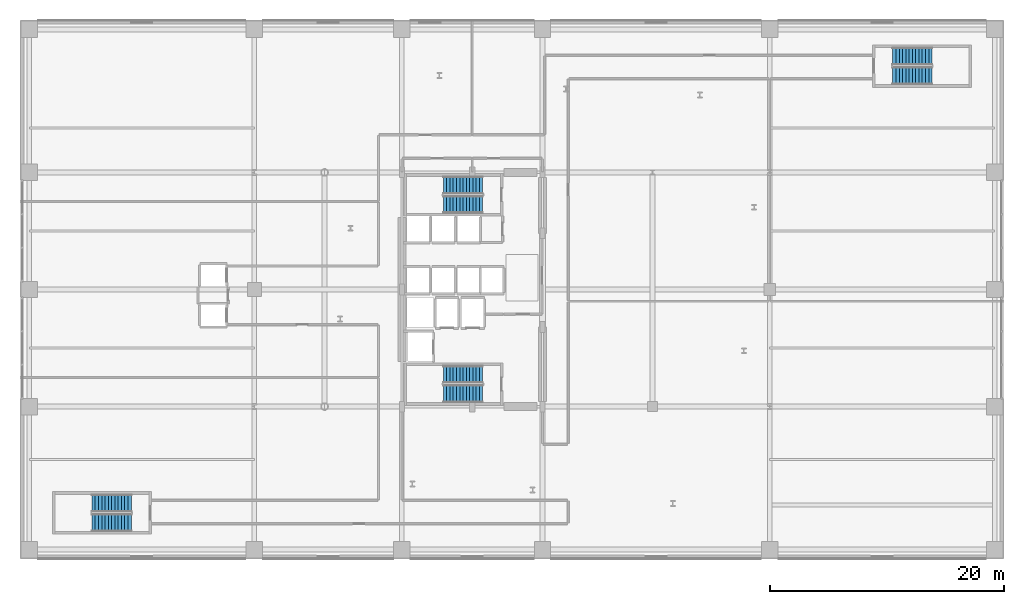
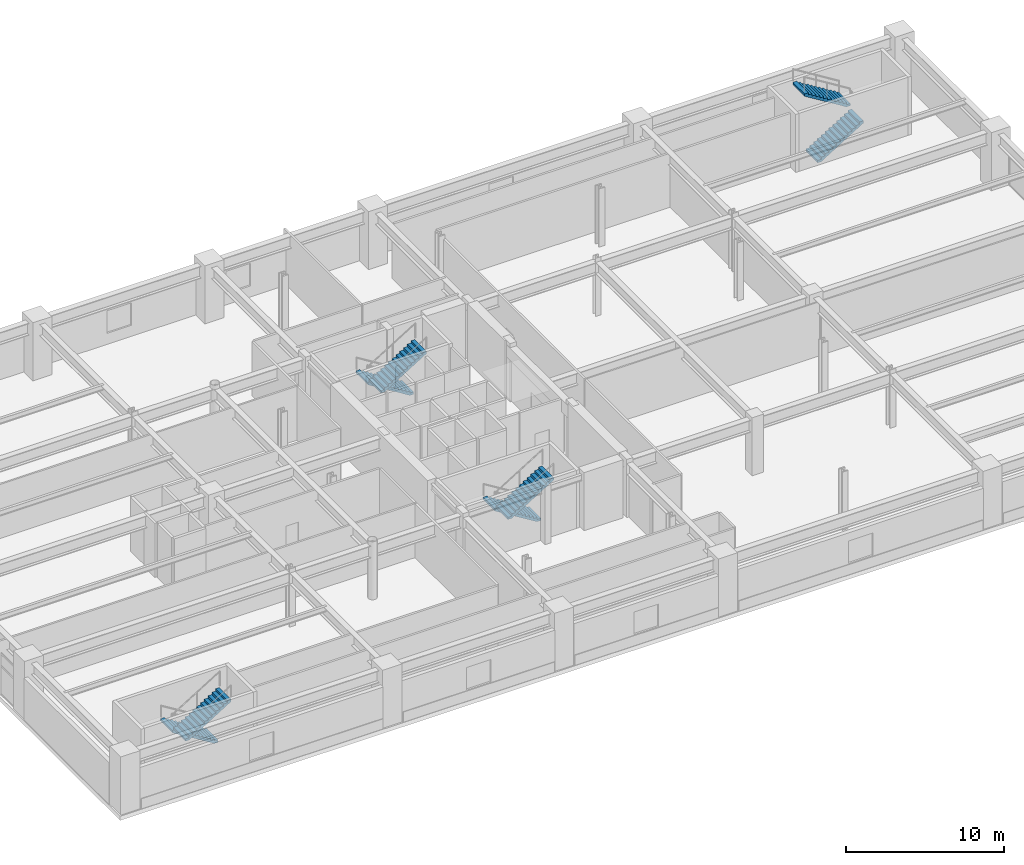
# One storey, part 23 of 28: 8 stair flights, 4 elements without a shape of their own.
"""IFC4 building model written with IfcOpenShell, lengths in metres."""

from ifc_helpers import new_model, si_unit, direction, frame, origin, place, context, subcontext, project, spatial, polyline, outline, extrude, material, layer, layer_set, type_object, element, aggregate, save


model = new_model("IFC4")

# Units and contexts
model_context = context("Model", 3, precision=1e-05, world=origin(), true_north=direction((0.0, 1.0)))
body_context = subcontext(model_context, "Body", "Model", "MODEL_VIEW")
ifc_project = project(units=[si_unit("LENGTHUNIT", "METRE"), si_unit("AREAUNIT", "SQUARE_METRE"), si_unit("VOLUMEUNIT", "CUBIC_METRE"), si_unit("PLANEANGLEUNIT", "RADIAN"), si_unit("MASSUNIT", "GRAM", prefix="KILO")], contexts=[model_context])

# Site, building, storey
site_placement = place(None, origin())
site = spatial("IfcSite", under=ifc_project, at=site_placement, CompositionType="ELEMENT")
building_placement = place(site_placement, origin())
building = spatial("IfcBuilding", under=site, at=building_placement, Name="Soratama Intermodal Tower", CompositionType="ELEMENT")
storey_placement = place(building_placement, frame((0.0, 0.0, 16.199951171875)))
storey = spatial("IfcBuildingStorey", under=building, at=storey_placement, Name="L03", CompositionType="ELEMENT", Elevation=16.199951171875)

# Stair, stair flights
ifc_material_1 = material(Name="Concrete f'c 42 MPa", Category="concrete")
stair_type = type_object("IfcStairType", Name="ST-CORE-DOGLEG", PredefinedType="HALF_TURN_STAIR", material=ifc_material_1)
stair_1_placement = place(storey_placement, origin())
stair_1 = element("IfcStair", 1, at=stair_1_placement, inside=storey, type_object=stair_type, Name="L03 ST-1", PredefinedType="HALF_TURN_STAIR")
ifc_material_2 = material(Name="Precast concrete f'c 40 MPa", Category="concrete")
ifc_layer = layer(ifc_material_2, 0.199951171875)
ifc_layer_set = layer_set([ifc_layer], Name="Precast concrete f'c 40 MPa")
stair_flight_type = type_object("IfcStairFlightType", Name="SF-FLIGHT-RC", PredefinedType="STRAIGHT", material=ifc_layer_set)
stair_flight_1_placement = place(storey_placement, frame((39.5, 17.75, 0.0), z_axis=(0.0, 0.0, 1.0), x_axis=(-1.0, 0.0, 0.0)))
stair_flight_1 = element("IfcStairFlight", 2, at=stair_flight_1_placement, type_object=stair_flight_type, Name="ST-1 flight 1", NumberOfRisers=13, NumberOfTreads=12, PredefinedType="STRAIGHT", RiserHeight=0.173076923, TreadLength=0.28, context=body_context, shape_type="SweptSolid", body=[
    extrude(outline(polyline([(0.0, 0.0), (0.0, 0.173095703125), (0.280029296875, 0.173095703125), (0.280029296875, 0.34619140625), (0.56005859375, 0.34619140625), (0.56005859375, 0.519287109375), (0.840087890625, 0.519287109375), (0.840087890625, 0.6923828125), (1.1201171875, 0.6923828125), (1.1201171875, 0.865478515625), (1.39990234375, 0.865478515625), (1.39990234375, 1.03857421875), (1.679931640625, 1.03857421875), (1.679931640625, 1.21142578125), (1.9599609375, 1.21142578125), (1.9599609375, 1.384521484375), (2.239990234375, 1.384521484375), (2.239990234375, 1.5576171875), (2.52001953125, 1.5576171875), (2.52001953125, 1.730712890625), (2.800048828125, 1.730712890625), (2.800048828125, 1.90380859375), (3.080078125, 1.90380859375), (3.080078125, 2.076904296875), (3.360107421875, 2.076904296875), (3.360107421875, 2.25), (3.360107421875, 1.900634765625), (0.28515625, 0.0), (0.0, 0.0)])), frame((0.0, 0.75, 0.0), z_axis=(0.0, -1.0, 0.0), x_axis=(1.0, 0.0, 0.0)), (0.0, 0.0, 1.0), 1.5),
])
stair_flight_2_placement = place(storey_placement, frame((36.139892578125, 16.10009765625, 2.25), z_axis=(0.0, 0.0, 1.0), x_axis=(1.0, 0.0, 0.0)))
stair_flight_2 = element("IfcStairFlight", 3, at=stair_flight_2_placement, type_object=stair_flight_type, Name="ST-1 flight 2", NumberOfRisers=13, NumberOfTreads=12, PredefinedType="STRAIGHT", RiserHeight=0.173076923, TreadLength=0.28, context=body_context, shape_type="SweptSolid", body=[
    extrude(outline(polyline([(0.0, 0.0), (0.0, 0.173095703125), (0.280029296875, 0.173095703125), (0.280029296875, 0.34619140625), (0.56005859375, 0.34619140625), (0.56005859375, 0.519287109375), (0.840087890625, 0.519287109375), (0.840087890625, 0.6923828125), (1.1201171875, 0.6923828125), (1.1201171875, 0.865478515625), (1.39990234375, 0.865478515625), (1.39990234375, 1.03857421875), (1.679931640625, 1.03857421875), (1.679931640625, 1.21142578125), (1.9599609375, 1.21142578125), (1.9599609375, 1.384521484375), (2.239990234375, 1.384521484375), (2.239990234375, 1.5576171875), (2.52001953125, 1.5576171875), (2.52001953125, 1.730712890625), (2.800048828125, 1.730712890625), (2.800048828125, 1.90380859375), (3.080078125, 1.90380859375), (3.080078125, 2.076904296875), (3.360107421875, 2.076904296875), (3.360107421875, 2.25), (3.360107421875, 1.900634765625), (0.28515625, 0.0), (0.0, 0.0)])), frame((0.0, 0.75, 0.0), z_axis=(0.0, -1.0, 0.0), x_axis=(1.0, 0.0, 0.0)), (0.0, 0.0, 1.0), 1.5),
])
aggregate(stair_1, [stair_flight_1, stair_flight_2])

stair_2_placement = place(storey_placement, origin())
stair_2 = element("IfcStair", 4, at=stair_2_placement, inside=storey, type_object=stair_type, Name="L03 ST-2", PredefinedType="HALF_TURN_STAIR")
stair_flight_3_placement = place(storey_placement, frame((39.5, 33.89990234375, 0.0), z_axis=(0.0, 0.0, 1.0), x_axis=(-1.0, 0.0, 0.0)))
stair_flight_3 = element("IfcStairFlight", 5, at=stair_flight_3_placement, type_object=stair_flight_type, Name="ST-2 flight 1", NumberOfRisers=13, NumberOfTreads=12, PredefinedType="STRAIGHT", RiserHeight=0.173076923, TreadLength=0.28, context=body_context, shape_type="SweptSolid", body=[
    extrude(outline(polyline([(0.0, 0.0), (0.0, 0.173095703125), (0.280029296875, 0.173095703125), (0.280029296875, 0.34619140625), (0.56005859375, 0.34619140625), (0.56005859375, 0.519287109375), (0.840087890625, 0.519287109375), (0.840087890625, 0.6923828125), (1.1201171875, 0.6923828125), (1.1201171875, 0.865478515625), (1.39990234375, 0.865478515625), (1.39990234375, 1.03857421875), (1.679931640625, 1.03857421875), (1.679931640625, 1.21142578125), (1.9599609375, 1.21142578125), (1.9599609375, 1.384521484375), (2.239990234375, 1.384521484375), (2.239990234375, 1.5576171875), (2.52001953125, 1.5576171875), (2.52001953125, 1.730712890625), (2.800048828125, 1.730712890625), (2.800048828125, 1.90380859375), (3.080078125, 1.90380859375), (3.080078125, 2.076904296875), (3.360107421875, 2.076904296875), (3.360107421875, 2.25), (3.360107421875, 1.900634765625), (0.28515625, 0.0), (0.0, 0.0)])), frame((0.0, 0.75, 0.0), z_axis=(0.0, -1.0, 0.0), x_axis=(1.0, 0.0, 0.0)), (0.0, 0.0, 1.0), 1.5),
])
stair_flight_4_placement = place(storey_placement, frame((36.139892578125, 32.25, 2.25), z_axis=(0.0, 0.0, 1.0), x_axis=(1.0, 0.0, 0.0)))
stair_flight_4 = element("IfcStairFlight", 6, at=stair_flight_4_placement, type_object=stair_flight_type, Name="ST-2 flight 2", NumberOfRisers=13, NumberOfTreads=12, PredefinedType="STRAIGHT", RiserHeight=0.173076923, TreadLength=0.28, context=body_context, shape_type="SweptSolid", body=[
    extrude(outline(polyline([(0.0, 0.0), (0.0, 0.173095703125), (0.280029296875, 0.173095703125), (0.280029296875, 0.34619140625), (0.56005859375, 0.34619140625), (0.56005859375, 0.519287109375), (0.840087890625, 0.519287109375), (0.840087890625, 0.6923828125), (1.1201171875, 0.6923828125), (1.1201171875, 0.865478515625), (1.39990234375, 0.865478515625), (1.39990234375, 1.03857421875), (1.679931640625, 1.03857421875), (1.679931640625, 1.21142578125), (1.9599609375, 1.21142578125), (1.9599609375, 1.384521484375), (2.239990234375, 1.384521484375), (2.239990234375, 1.5576171875), (2.52001953125, 1.5576171875), (2.52001953125, 1.730712890625), (2.800048828125, 1.730712890625), (2.800048828125, 1.90380859375), (3.080078125, 1.90380859375), (3.080078125, 2.076904296875), (3.360107421875, 2.076904296875), (3.360107421875, 2.25), (3.360107421875, 1.900634765625), (0.28515625, 0.0), (0.0, 0.0)])), frame((0.0, 0.75, 0.0), z_axis=(0.0, -1.0, 0.0), x_axis=(1.0, 0.0, 0.0)), (0.0, 0.0, 1.0), 1.5),
])
aggregate(stair_2, [stair_flight_3, stair_flight_4])

stair_3_placement = place(storey_placement, origin())
stair_3 = element("IfcStair", 7, at=stair_3_placement, inside=storey, type_object=stair_type, Name="L03 ST-3", PredefinedType="HALF_TURN_STAIR")
stair_flight_5_placement = place(storey_placement, frame((9.5, 6.75, 0.0), z_axis=(0.0, 0.0, 1.0), x_axis=(-1.0, 0.0, 0.0)))
stair_flight_5 = element("IfcStairFlight", 8, at=stair_flight_5_placement, type_object=stair_flight_type, Name="ST-3 flight 1", NumberOfRisers=13, NumberOfTreads=12, PredefinedType="STRAIGHT", RiserHeight=0.173076923, TreadLength=0.28, context=body_context, shape_type="SweptSolid", body=[
    extrude(outline(polyline([(0.0, 0.0), (0.0, 0.173095703125), (0.280029296875, 0.173095703125), (0.280029296875, 0.34619140625), (0.56005859375, 0.34619140625), (0.56005859375, 0.519287109375), (0.840087890625, 0.519287109375), (0.840087890625, 0.6923828125), (1.1201171875, 0.6923828125), (1.1201171875, 0.865478515625), (1.39990234375, 0.865478515625), (1.39990234375, 1.03857421875), (1.679931640625, 1.03857421875), (1.679931640625, 1.21142578125), (1.9599609375, 1.21142578125), (1.9599609375, 1.384521484375), (2.239990234375, 1.384521484375), (2.239990234375, 1.5576171875), (2.52001953125, 1.5576171875), (2.52001953125, 1.730712890625), (2.800048828125, 1.730712890625), (2.800048828125, 1.90380859375), (3.080078125, 1.90380859375), (3.080078125, 2.076904296875), (3.360107421875, 2.076904296875), (3.360107421875, 2.25), (3.360107421875, 1.900634765625), (0.28515625, 0.0), (0.0, 0.0)])), frame((0.0, 0.75, 0.0), z_axis=(0.0, -1.0, 0.0), x_axis=(1.0, 0.0, 0.0)), (0.0, 0.0, 1.0), 1.5),
])
stair_flight_6_placement = place(storey_placement, frame((6.139892578125, 5.10009765625, 2.25), z_axis=(0.0, 0.0, 1.0), x_axis=(1.0, 0.0, 0.0)))
stair_flight_6 = element("IfcStairFlight", 9, at=stair_flight_6_placement, type_object=stair_flight_type, Name="ST-3 flight 2", NumberOfRisers=13, NumberOfTreads=12, PredefinedType="STRAIGHT", RiserHeight=0.173076923, TreadLength=0.28, context=body_context, shape_type="SweptSolid", body=[
    extrude(outline(polyline([(0.0, 0.0), (0.0, 0.173095703125), (0.280029296875, 0.173095703125), (0.280029296875, 0.34619140625), (0.56005859375, 0.34619140625), (0.56005859375, 0.519287109375), (0.840087890625, 0.519287109375), (0.840087890625, 0.6923828125), (1.1201171875, 0.6923828125), (1.1201171875, 0.865478515625), (1.39990234375, 0.865478515625), (1.39990234375, 1.03857421875), (1.679931640625, 1.03857421875), (1.679931640625, 1.21142578125), (1.9599609375, 1.21142578125), (1.9599609375, 1.384521484375), (2.239990234375, 1.384521484375), (2.239990234375, 1.5576171875), (2.52001953125, 1.5576171875), (2.52001953125, 1.730712890625), (2.800048828125, 1.730712890625), (2.800048828125, 1.90380859375), (3.080078125, 1.90380859375), (3.080078125, 2.076904296875), (3.360107421875, 2.076904296875), (3.360107421875, 2.25), (3.360107421875, 1.900634765625), (0.28515625, 0.0), (0.0, 0.0)])), frame((0.0, 0.75, 0.0), z_axis=(0.0, -1.0, 0.0), x_axis=(1.0, 0.0, 0.0)), (0.0, 0.0, 1.0), 1.5),
])
aggregate(stair_3, [stair_flight_5, stair_flight_6])

stair_4_placement = place(storey_placement, origin())
stair_4 = element("IfcStair", 10, at=stair_4_placement, inside=storey, type_object=stair_type, Name="L03 ST-4", PredefinedType="HALF_TURN_STAIR")
stair_flight_7_placement = place(storey_placement, frame((74.5, 43.25, 0.0), z_axis=(0.0, 0.0, 1.0), x_axis=(1.0, 0.0, 0.0)))
stair_flight_7 = element("IfcStairFlight", 11, at=stair_flight_7_placement, type_object=stair_flight_type, Name="ST-4 flight 1", NumberOfRisers=13, NumberOfTreads=12, PredefinedType="STRAIGHT", RiserHeight=0.173076923, TreadLength=0.28, context=body_context, shape_type="SweptSolid", body=[
    extrude(outline(polyline([(0.0, 0.0), (0.0, 0.173095703125), (0.280029296875, 0.173095703125), (0.280029296875, 0.34619140625), (0.56005859375, 0.34619140625), (0.56005859375, 0.519287109375), (0.840087890625, 0.519287109375), (0.840087890625, 0.6923828125), (1.1201171875, 0.6923828125), (1.1201171875, 0.865478515625), (1.39990234375, 0.865478515625), (1.39990234375, 1.03857421875), (1.679931640625, 1.03857421875), (1.679931640625, 1.21142578125), (1.9599609375, 1.21142578125), (1.9599609375, 1.384521484375), (2.239990234375, 1.384521484375), (2.239990234375, 1.5576171875), (2.52001953125, 1.5576171875), (2.52001953125, 1.730712890625), (2.800048828125, 1.730712890625), (2.800048828125, 1.90380859375), (3.080078125, 1.90380859375), (3.080078125, 2.076904296875), (3.360107421875, 2.076904296875), (3.360107421875, 2.25), (3.360107421875, 1.900634765625), (0.28515625, 0.0), (0.0, 0.0)])), frame((0.0, 0.75, 0.0), z_axis=(0.0, -1.0, 0.0), x_axis=(1.0, 0.0, 0.0)), (0.0, 0.0, 1.0), 1.5),
])
stair_flight_8_placement = place(storey_placement, frame((77.860107421875, 44.89990234375, 2.25), z_axis=(0.0, 0.0, 1.0), x_axis=(-1.0, 0.0, 0.0)))
stair_flight_8 = element("IfcStairFlight", 12, at=stair_flight_8_placement, type_object=stair_flight_type, Name="ST-4 flight 2", NumberOfRisers=13, NumberOfTreads=12, PredefinedType="STRAIGHT", RiserHeight=0.173076923, TreadLength=0.28, context=body_context, shape_type="SweptSolid", body=[
    extrude(outline(polyline([(0.0, 0.0), (0.0, 0.173095703125), (0.280029296875, 0.173095703125), (0.280029296875, 0.34619140625), (0.56005859375, 0.34619140625), (0.56005859375, 0.519287109375), (0.840087890625, 0.519287109375), (0.840087890625, 0.6923828125), (1.1201171875, 0.6923828125), (1.1201171875, 0.865478515625), (1.39990234375, 0.865478515625), (1.39990234375, 1.03857421875), (1.679931640625, 1.03857421875), (1.679931640625, 1.21142578125), (1.9599609375, 1.21142578125), (1.9599609375, 1.384521484375), (2.239990234375, 1.384521484375), (2.239990234375, 1.5576171875), (2.52001953125, 1.5576171875), (2.52001953125, 1.730712890625), (2.800048828125, 1.730712890625), (2.800048828125, 1.90380859375), (3.080078125, 1.90380859375), (3.080078125, 2.076904296875), (3.360107421875, 2.076904296875), (3.360107421875, 2.25), (3.360107421875, 1.900634765625), (0.28515625, 0.0), (0.0, 0.0)])), frame((0.0, 0.75, 0.0), z_axis=(0.0, -1.0, 0.0), x_axis=(1.0, 0.0, 0.0)), (0.0, 0.0, 1.0), 1.5),
])
aggregate(stair_4, [stair_flight_7, stair_flight_8])

save(model, "model.ifc")
